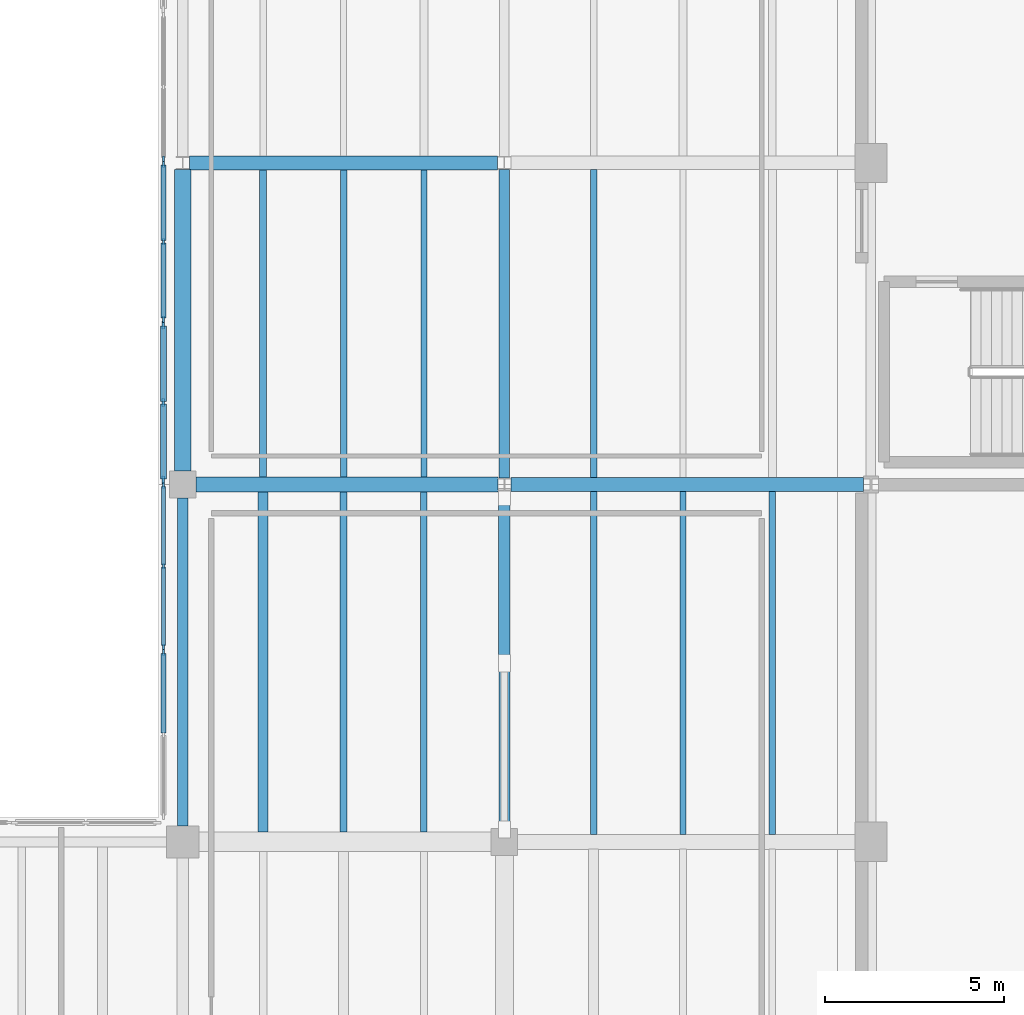
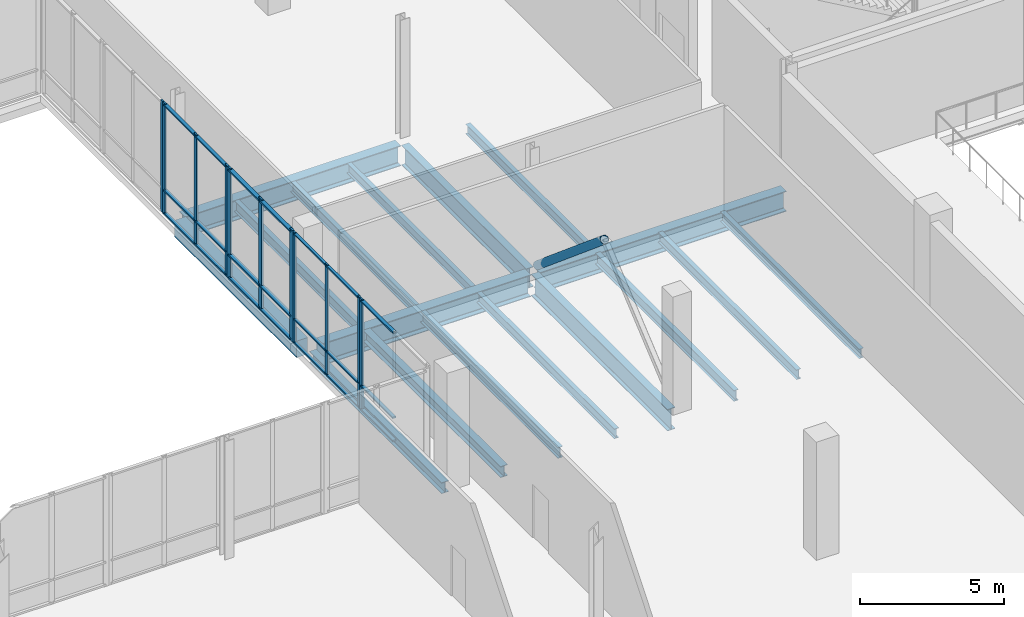
# One storey, part 26 of 60: 33 members, 17 beams, 5 elements without a shape of their own.
"""IFC4 building model written with IfcOpenShell, lengths in metres."""

from ifc_helpers import new_model, si_unit, direction, frame, origin, origin_2d, place, context, subcontext, project, spatial, rectangle, hollow_circle, i_section, extrude, material, material_profile, profile_set, type_object, element, aggregate, save


model = new_model("IFC4")

# Units and contexts
model_context = context("Model", 3, precision=1e-05, world=origin(), true_north=direction((0.0, 1.0)))
body_context = subcontext(model_context, "Body", "Model", "MODEL_VIEW")
ifc_project = project(units=[si_unit("LENGTHUNIT", "METRE"), si_unit("AREAUNIT", "SQUARE_METRE"), si_unit("VOLUMEUNIT", "CUBIC_METRE"), si_unit("PLANEANGLEUNIT", "RADIAN"), si_unit("MASSUNIT", "GRAM", prefix="KILO")], contexts=[model_context])

# Site, building, storey
site_placement = place(None, origin())
site = spatial("IfcSite", under=ifc_project, at=site_placement, CompositionType="ELEMENT")
building_placement = place(site_placement, origin())
building = spatial("IfcBuilding", under=site, at=building_placement, Name="Trimount Lyric Opera House", CompositionType="ELEMENT")
storey_placement = place(building_placement, frame((0.0, 0.0, 15.0)))
storey = spatial("IfcBuildingStorey", under=building, at=storey_placement, Name="L03", CompositionType="ELEMENT", Elevation=15.0)

# Beams
ifc_material_1 = material(Name="Steel ASTM A992 Grade 50", Category="steel")
ifc_material_profile_1 = material_profile(ifc_material_1, i_section(OverallWidth=0.4189453125, OverallDepth=0.927001953125, WebThickness=0.019287109375, FlangeThickness=0.031982421875, FilletRadius=0.02392578125, at=origin_2d()), Name="W36X231")
ifc_profile_set_1 = profile_set([ifc_material_profile_1], Name="Steel ASTM A992 Grade 50")
beam_type_1 = type_object("IfcBeamType", Name="B-02", PredefinedType="BEAM", material=ifc_profile_set_1)
beam_1_placement = place(storey_placement, frame((45.375, 84.0, -0.743408203125), z_axis=(1.0, 0.0, 0.0), x_axis=(0.0, 1.0, 0.0)))
element("IfcBeam", 1, at=beam_1_placement, inside=storey, type_object=beam_type_1, Name="L03 girder X-0989", PredefinedType="BEAM", context=body_context, shape_type="SweptSolid", body=[
    extrude(i_section(OverallWidth=0.4189453125, OverallDepth=0.927001953125, WebThickness=0.019287109375, FlangeThickness=0.031982421875, FilletRadius=0.02392578125, at=origin_2d()), origin(), (0.0, 0.0, 1.0), 8.44091796875),
])
ifc_material_2 = material(Name="Steel ASTM A992 Grade 50", Category="steel")
ifc_material_profile_2 = material_profile(ifc_material_2, i_section(OverallWidth=0.304931640625, OverallDepth=0.9189453125, WebThickness=0.017333984375, FlangeThickness=0.02783203125, FilletRadius=0.02001953125, at=origin_2d()), Name="W36X170")
ifc_profile_set_2 = profile_set([ifc_material_profile_2], Name="Steel ASTM A992 Grade 50")
beam_type_2 = type_object("IfcBeamType", Name="B-03", PredefinedType="BEAM", material=ifc_profile_set_2)
beam_2_placement = place(storey_placement, frame((54.0, 74.375, -0.739501953125), z_axis=(0.0, 1.0, 0.0), x_axis=(-1.0, 0.0, 0.0)))
element("IfcBeam", 2, at=beam_2_placement, inside=storey, type_object=beam_type_2, Name="L03 girder Y-1069", PredefinedType="BEAM", context=body_context, shape_type="SweptSolid", body=[
    extrude(i_section(OverallWidth=0.304931640625, OverallDepth=0.9189453125, WebThickness=0.017333984375, FlangeThickness=0.02783203125, FilletRadius=0.02001953125, at=origin_2d()), origin(), (0.0, 0.0, 1.0), 9.447021484375),
])
ifc_material_3 = material(Name="Steel ASTM A992 Grade 50", Category="steel")
ifc_material_profile_3 = material_profile(ifc_material_3, i_section(OverallWidth=0.40087890625, OverallDepth=0.861083984375, WebThickness=0.019775390625, FlangeThickness=0.032470703125, FilletRadius=0.02001953125, at=origin_2d()), Name="W33X221")
ifc_profile_set_3 = profile_set([ifc_material_profile_3], Name="Steel ASTM A992 Grade 50")
beam_type_3 = type_object("IfcBeamType", Name="B-04", PredefinedType="BEAM", material=ifc_profile_set_3)
beam_3_placement = place(storey_placement, frame((54.18408203125, 84.0, -0.755615234375), z_axis=(1.0, 0.0, 0.0), x_axis=(0.0, 1.0, 0.0)))
element("IfcBeam", 3, at=beam_3_placement, inside=storey, type_object=beam_type_3, Name="L03 girder X-0990", PredefinedType="BEAM", context=body_context, shape_type="SweptSolid", body=[
    extrude(i_section(OverallWidth=0.40087890625, OverallDepth=0.861083984375, WebThickness=0.019775390625, FlangeThickness=0.032470703125, FilletRadius=0.02001953125, at=origin_2d()), origin(), (0.0, 0.0, 1.0), 9.864990234375),
])
beam_4_placement = place(storey_placement, frame((45.18408203125, 93.0, -0.71044921875), z_axis=(1.0, 0.0, 0.0), x_axis=(0.0, 1.0, 0.0)))
element("IfcBeam", 4, at=beam_4_placement, inside=storey, type_object=beam_type_3, Name="L03 girder X-0994", PredefinedType="BEAM", context=body_context, shape_type="SweptSolid", body=[
    extrude(i_section(OverallWidth=0.40087890625, OverallDepth=0.861083984375, WebThickness=0.019775390625, FlangeThickness=0.032470703125, FilletRadius=0.02001953125, at=origin_2d()), origin(), (0.0, 0.0, 1.0), 8.62939453125),
])
ifc_material_4 = material(Name="Steel ASTM A992 Grade 50", Category="steel")
ifc_material_profile_4 = material_profile(ifc_material_4, i_section(OverallWidth=0.2919921875, OverallDepth=0.845947265625, WebThickness=0.015380859375, FlangeThickness=0.0244140625, FilletRadius=0.01806640625, at=origin_2d()), Name="W33X141")
ifc_profile_set_4 = profile_set([ifc_material_profile_4], Name="Steel ASTM A992 Grade 50")
beam_type_4 = type_object("IfcBeamType", Name="B-05", PredefinedType="BEAM", material=ifc_profile_set_4)
beam_5_placement = place(storey_placement, frame((54.0, 84.177978515625, -0.702880859375), z_axis=(0.0, 1.0, 0.0), x_axis=(-1.0, 0.0, 0.0)))
element("IfcBeam", 5, at=beam_5_placement, inside=storey, type_object=beam_type_4, Name="L03 girder Y-1070", PredefinedType="BEAM", context=body_context, shape_type="SweptSolid", body=[
    extrude(i_section(OverallWidth=0.2919921875, OverallDepth=0.845947265625, WebThickness=0.015380859375, FlangeThickness=0.0244140625, FilletRadius=0.01806640625, at=origin_2d()), origin(), (0.0, 0.0, 1.0), 8.637939453125),
])

# Member
ifc_material_5 = material(Name="Steel ASTM A500 Grade C", Category="steel")
ifc_material_profile_5 = material_profile(ifc_material_5, hollow_circle(Radius=0.161865234375, WallThickness=0.01171875, at=origin_2d()), Name="HSS323.9X12.7")
ifc_profile_set_5 = profile_set([ifc_material_profile_5], Name="Steel ASTM A500 Grade C")
member_type_1 = type_object("IfcMemberType", Name="BR-05", PredefinedType="BRACE", material=ifc_profile_set_5)
member_1_placement = place(storey_placement, frame((54.0, 83.64990234375, 0.14990234375), z_axis=(0.0, -0.766173014074, 0.642634353661), x_axis=(1.0, 0.0, 0.0)))
element("IfcMember", 6, at=member_1_placement, inside=storey, type_object=member_type_1, Name="L03 lateral chevron brace BF-2.2", PredefinedType="BRACE", context=body_context, shape_type="SweptSolid", body=[
    extrude(hollow_circle(Radius=0.161865234375, WallThickness=0.01171875, at=origin_2d()), origin(), (0.0, 0.0, 1.0), 6.069091796875),
])

# Beams
ifc_material_6 = material(Name="Steel ASTM A992 Grade 50", Category="steel")
ifc_material_profile_6 = material_profile(ifc_material_6, i_section(OverallWidth=0.281982421875, OverallDepth=0.467041015625, WebThickness=0.01220703125, FlangeThickness=0.01953125, FilletRadius=0.012939453125, at=origin_2d()), Name="W18X86")
ifc_profile_set_6 = profile_set([ifc_material_profile_6], Name="Steel ASTM A992 Grade 50")
beam_type_5 = type_object("IfcBeamType", Name="J-03", PredefinedType="BEAM", material=ifc_profile_set_6)
beam_6_placement = place(storey_placement, frame((47.25, 74.27099609375, -0.513427734375), z_axis=(0.0, 1.0, 0.0), x_axis=(-1.0, 0.0, 0.0)))
element("IfcBeam", 7, at=beam_6_placement, inside=storey, type_object=beam_type_5, Name="L03 composite floor joist 1044", PredefinedType="BEAM", context=body_context, shape_type="SweptSolid", body=[
    extrude(i_section(OverallWidth=0.281982421875, OverallDepth=0.467041015625, WebThickness=0.01220703125, FlangeThickness=0.01953125, FilletRadius=0.012939453125, at=origin_2d()), origin(), (0.0, 0.0, 1.0), 9.5234375),
])
ifc_material_7 = material(Name="Steel ASTM A992 Grade 50", Category="steel")
ifc_material_profile_7 = material_profile(ifc_material_7, i_section(OverallWidth=0.19091796875, OverallDepth=0.45703125, WebThickness=0.009033203125, FlangeThickness=0.014404296875, FilletRadius=0.010986328125, at=origin_2d()), Name="W18X50")
ifc_profile_set_7 = profile_set([ifc_material_profile_7], Name="Steel ASTM A992 Grade 50")
beam_type_6 = type_object("IfcBeamType", Name="J-04", PredefinedType="BEAM", material=ifc_profile_set_7)
beam_7_placement = place(storey_placement, frame((49.5, 74.27099609375, -0.508544921875), z_axis=(0.0, 1.0, 0.0), x_axis=(-1.0, 0.0, 0.0)))
element("IfcBeam", 8, at=beam_7_placement, inside=storey, type_object=beam_type_6, Name="L03 composite floor joist 1045", PredefinedType="BEAM", context=body_context, shape_type="SweptSolid", body=[
    extrude(i_section(OverallWidth=0.19091796875, OverallDepth=0.45703125, WebThickness=0.009033203125, FlangeThickness=0.014404296875, FilletRadius=0.010986328125, at=origin_2d()), origin(), (0.0, 0.0, 1.0), 9.5234375),
])
beam_8_placement = place(storey_placement, frame((47.25, 84.20556640625, -0.508544921875), z_axis=(0.0, 1.0, 0.0), x_axis=(-1.0, 0.0, 0.0)))
element("IfcBeam", 9, at=beam_8_placement, inside=storey, type_object=beam_type_6, Name="L03 composite floor joist 1047", PredefinedType="BEAM", context=body_context, shape_type="SweptSolid", body=[
    extrude(i_section(OverallWidth=0.19091796875, OverallDepth=0.45703125, WebThickness=0.009033203125, FlangeThickness=0.014404296875, FilletRadius=0.010986328125, at=origin_2d()), origin(), (0.0, 0.0, 1.0), 8.597900390625),
])
beam_9_placement = place(storey_placement, frame((56.5, 74.20556640625, -0.508544921875), z_axis=(0.0, 1.0, 0.0), x_axis=(-1.0, 0.0, 0.0)))
element("IfcBeam", 10, at=beam_9_placement, inside=storey, type_object=beam_type_6, Name="L03 composite floor joist 1065", PredefinedType="BEAM", context=body_context, shape_type="SweptSolid", body=[
    extrude(i_section(OverallWidth=0.19091796875, OverallDepth=0.45703125, WebThickness=0.009033203125, FlangeThickness=0.014404296875, FilletRadius=0.010986328125, at=origin_2d()), origin(), (0.0, 0.0, 1.0), 9.597900390625),
])
ifc_material_8 = material(Name="Steel ASTM A992 Grade 50", Category="steel")
ifc_material_profile_8 = material_profile(ifc_material_8, i_section(OverallWidth=0.180908203125, OverallDepth=0.4169921875, WebThickness=0.010986328125, FlangeThickness=0.018310546875, FilletRadius=0.010986328125, at=origin_2d()), Name="W16X57")
ifc_profile_set_8 = profile_set([ifc_material_profile_8], Name="Steel ASTM A992 Grade 50")
beam_type_7 = type_object("IfcBeamType", Name="J-05", PredefinedType="BEAM", material=ifc_profile_set_8)
beam_10_placement = place(storey_placement, frame((51.75, 74.27099609375, -0.488525390625), z_axis=(0.0, 1.0, 0.0), x_axis=(-1.0, 0.0, 0.0)))
element("IfcBeam", 11, at=beam_10_placement, inside=storey, type_object=beam_type_7, Name="L03 composite floor joist 1046", PredefinedType="BEAM", context=body_context, shape_type="SweptSolid", body=[
    extrude(i_section(OverallWidth=0.180908203125, OverallDepth=0.4169921875, WebThickness=0.010986328125, FlangeThickness=0.018310546875, FilletRadius=0.010986328125, at=origin_2d()), origin(), (0.0, 0.0, 1.0), 9.5234375),
])
beam_11_placement = place(storey_placement, frame((49.5, 84.20556640625, -0.488525390625), z_axis=(0.0, 1.0, 0.0), x_axis=(-1.0, 0.0, 0.0)))
element("IfcBeam", 12, at=beam_11_placement, inside=storey, type_object=beam_type_7, Name="L03 composite floor joist 1048", PredefinedType="BEAM", context=body_context, shape_type="SweptSolid", body=[
    extrude(i_section(OverallWidth=0.180908203125, OverallDepth=0.4169921875, WebThickness=0.010986328125, FlangeThickness=0.018310546875, FilletRadius=0.010986328125, at=origin_2d()), origin(), (0.0, 0.0, 1.0), 8.597900390625),
])
beam_12_placement = place(storey_placement, frame((59.0, 74.20556640625, -0.488525390625), z_axis=(0.0, 1.0, 0.0), x_axis=(-1.0, 0.0, 0.0)))
element("IfcBeam", 13, at=beam_12_placement, inside=storey, type_object=beam_type_7, Name="L03 composite floor joist 1066", PredefinedType="BEAM", context=body_context, shape_type="SweptSolid", body=[
    extrude(i_section(OverallWidth=0.180908203125, OverallDepth=0.4169921875, WebThickness=0.010986328125, FlangeThickness=0.018310546875, FilletRadius=0.010986328125, at=origin_2d()), origin(), (0.0, 0.0, 1.0), 9.597900390625),
])
beam_13_placement = place(storey_placement, frame((56.5, 84.196533203125, -0.488525390625), z_axis=(0.0, 1.0, 0.0), x_axis=(-1.0, 0.0, 0.0)))
element("IfcBeam", 14, at=beam_13_placement, inside=storey, type_object=beam_type_7, Name="L03 composite floor joist 1068", PredefinedType="BEAM", context=body_context, shape_type="SweptSolid", body=[
    extrude(i_section(OverallWidth=0.180908203125, OverallDepth=0.4169921875, WebThickness=0.010986328125, FlangeThickness=0.018310546875, FilletRadius=0.010986328125, at=origin_2d()), origin(), (0.0, 0.0, 1.0), 8.616455078125),
])
ifc_material_9 = material(Name="Steel ASTM A992 Grade 50", Category="steel")
ifc_material_profile_9 = material_profile(ifc_material_9, i_section(OverallWidth=0.177978515625, OverallDepth=0.404052734375, WebThickness=0.007568359375, FlangeThickness=0.010986328125, FilletRadius=0.010009765625, at=origin_2d()), Name="W16X36")
ifc_profile_set_9 = profile_set([ifc_material_profile_9], Name="Steel ASTM A992 Grade 50")
beam_type_8 = type_object("IfcBeamType", Name="J-06", PredefinedType="BEAM", material=ifc_profile_set_9)
beam_14_placement = place(storey_placement, frame((51.75, 84.20556640625, -0.48193359375), z_axis=(0.0, 1.0, 0.0), x_axis=(-1.0, 0.0, 0.0)))
element("IfcBeam", 15, at=beam_14_placement, inside=storey, type_object=beam_type_8, Name="L03 composite floor joist 1049", PredefinedType="BEAM", context=body_context, shape_type="SweptSolid", body=[
    extrude(i_section(OverallWidth=0.177978515625, OverallDepth=0.404052734375, WebThickness=0.007568359375, FlangeThickness=0.010986328125, FilletRadius=0.010009765625, at=origin_2d()), origin(), (0.0, 0.0, 1.0), 8.597900390625),
])
beam_15_placement = place(storey_placement, frame((61.5, 74.20556640625, -0.48193359375), z_axis=(0.0, 1.0, 0.0), x_axis=(-1.0, 0.0, 0.0)))
element("IfcBeam", 16, at=beam_15_placement, inside=storey, type_object=beam_type_8, Name="L03 composite floor joist 1067", PredefinedType="BEAM", context=body_context, shape_type="SweptSolid", body=[
    extrude(i_section(OverallWidth=0.177978515625, OverallDepth=0.404052734375, WebThickness=0.007568359375, FlangeThickness=0.010986328125, FilletRadius=0.010009765625, at=origin_2d()), origin(), (0.0, 0.0, 1.0), 9.597900390625),
])

# Curtain wall, members
ifc_material_10 = material(Name="Thermally Broken Aluminium and Low-E Glass", Category="aluminium")
curtain_wall_type = type_object("IfcCurtainWallType", Name="CW-03", PredefinedType="NOTDEFINED", material=ifc_material_10)
curtain_wall_1_placement = place(storey_placement, origin())
curtain_wall_1 = element("IfcCurtainWall", 17, at=curtain_wall_1_placement, inside=storey, type_object=curtain_wall_type, Name="L03 curtain wall 279", PredefinedType="NOTDEFINED")
ifc_material_11 = material(Name="Anodised Aluminium 6063-T6", Category="aluminium")
ifc_material_profile_10 = material_profile(ifc_material_11, rectangle(XDim=0.070068359375, YDim=0.219970703125, at=origin_2d()), Name="ALU-MULL-70X220")
ifc_profile_set_10 = profile_set([ifc_material_profile_10], Name="Anodised Aluminium 6063-T6")
member_type_2 = type_object("IfcMemberType", Name="ML-01", PredefinedType="MULLION", material=ifc_profile_set_10)
member_2_placement = place(storey_placement, frame((44.4599609375, 84.125, 0.0), z_axis=(0.0, 0.0, 1.0), x_axis=(-1.0, 0.0, 0.0)))
member_2 = element("IfcMember", 18, at=member_2_placement, type_object=member_type_2, Name="CW-03 mullion 1", PredefinedType="MULLION", context=body_context, shape_type="SweptSolid", body=[
    extrude(rectangle(XDim=0.070068359375, YDim=0.219970703125, at=origin_2d()), origin(), (0.0, 0.0, 1.0), 4.719970703125),
])
member_3_placement = place(storey_placement, frame((44.4599609375, 86.294921875, 0.0), z_axis=(0.0, 0.0, 1.0), x_axis=(-1.0, 0.0, 0.0)))
member_3 = element("IfcMember", 19, at=member_3_placement, type_object=member_type_2, Name="CW-03 mullion 2", PredefinedType="MULLION", context=body_context, shape_type="SweptSolid", body=[
    extrude(rectangle(XDim=0.070068359375, YDim=0.219970703125, at=origin_2d()), origin(), (0.0, 0.0, 1.0), 4.719970703125),
])
member_4_placement = place(storey_placement, frame((44.4599609375, 88.465087890625, 0.0), z_axis=(0.0, 0.0, 1.0), x_axis=(-1.0, 0.0, 0.0)))
member_4 = element("IfcMember", 20, at=member_4_placement, type_object=member_type_2, Name="CW-03 mullion 3", PredefinedType="MULLION", context=body_context, shape_type="SweptSolid", body=[
    extrude(rectangle(XDim=0.070068359375, YDim=0.219970703125, at=origin_2d()), origin(), (0.0, 0.0, 1.0), 4.719970703125),
])

# Curtain wall, member
curtain_wall_2_placement = place(storey_placement, origin())
curtain_wall_2 = element("IfcCurtainWall", 21, at=curtain_wall_2_placement, inside=storey, type_object=curtain_wall_type, Name="L03 curtain wall 277", PredefinedType="NOTDEFINED")
ifc_material_12 = material(Name="Anodised Aluminium 6063-T6", Category="aluminium")
ifc_material_profile_11 = material_profile(ifc_material_12, rectangle(XDim=0.06494140625, YDim=0.179931640625, at=origin_2d()), Name="ALU-MULL-65X180")
ifc_profile_set_11 = profile_set([ifc_material_profile_11], Name="Anodised Aluminium 6063-T6")
member_type_3 = type_object("IfcMemberType", Name="ML-02", PredefinedType="MULLION", material=ifc_profile_set_11)
member_5_placement = place(storey_placement, frame((44.4599609375, 79.3076171875, 0.0), z_axis=(0.0, 0.0, 1.0), x_axis=(-1.0, 0.0, 0.0)))
member_5 = element("IfcMember", 22, at=member_5_placement, type_object=member_type_3, Name="CW-03 mullion 3", PredefinedType="MULLION", context=body_context, shape_type="SweptSolid", body=[
    extrude(rectangle(XDim=0.06494140625, YDim=0.179931640625, at=origin_2d()), origin(), (0.0, 0.0, 1.0), 4.719970703125),
])

# Curtain wall, members
curtain_wall_3_placement = place(storey_placement, origin())
curtain_wall_3 = element("IfcCurtainWall", 23, at=curtain_wall_3_placement, inside=storey, type_object=curtain_wall_type, Name="L03 curtain wall 280", PredefinedType="NOTDEFINED")
member_6_placement = place(storey_placement, frame((44.4599609375, 88.62255859375, 0.0), z_axis=(0.0, 0.0, 1.0), x_axis=(-1.0, 0.0, 0.0)))
member_6 = element("IfcMember", 24, at=member_6_placement, type_object=member_type_3, Name="CW-03 mullion 1", PredefinedType="MULLION", context=body_context, shape_type="SweptSolid", body=[
    extrude(rectangle(XDim=0.06494140625, YDim=0.179931640625, at=origin_2d()), origin(), (0.0, 0.0, 1.0), 4.719970703125),
])
member_7_placement = place(storey_placement, frame((44.4599609375, 90.794921875, 0.0), z_axis=(0.0, 0.0, 1.0), x_axis=(-1.0, 0.0, 0.0)))
member_7 = element("IfcMember", 25, at=member_7_placement, type_object=member_type_3, Name="CW-03 mullion 2", PredefinedType="MULLION", context=body_context, shape_type="SweptSolid", body=[
    extrude(rectangle(XDim=0.06494140625, YDim=0.179931640625, at=origin_2d()), origin(), (0.0, 0.0, 1.0), 4.719970703125),
])
member_8_placement = place(storey_placement, frame((44.4599609375, 92.967529296875, 0.0), z_axis=(0.0, 0.0, 1.0), x_axis=(-1.0, 0.0, 0.0)))
member_8 = element("IfcMember", 26, at=member_8_placement, type_object=member_type_3, Name="CW-03 mullion 3", PredefinedType="MULLION", context=body_context, shape_type="SweptSolid", body=[
    extrude(rectangle(XDim=0.06494140625, YDim=0.179931640625, at=origin_2d()), origin(), (0.0, 0.0, 1.0), 4.719970703125),
])

curtain_wall_4_placement = place(storey_placement, origin())
curtain_wall_4 = element("IfcCurtainWall", 27, at=curtain_wall_4_placement, inside=storey, type_object=curtain_wall_type, Name="L03 curtain wall 278", PredefinedType="NOTDEFINED")
ifc_material_13 = material(Name="Anodised Aluminium 6063-T6", Category="aluminium")
ifc_material_profile_12 = material_profile(ifc_material_13, rectangle(XDim=0.06005859375, YDim=0.14990234375, at=origin_2d()), Name="ALU-MULL-60X150")
ifc_profile_set_12 = profile_set([ifc_material_profile_12], Name="Anodised Aluminium 6063-T6")
member_type_4 = type_object("IfcMemberType", Name="ML-03", PredefinedType="MULLION", material=ifc_profile_set_12)
member_9_placement = place(storey_placement, frame((44.4599609375, 79.4599609375, 0.0), z_axis=(0.0, 0.0, 1.0), x_axis=(-1.0, 0.0, 0.0)))
member_9 = element("IfcMember", 28, at=member_9_placement, type_object=member_type_4, Name="CW-03 mullion 1", PredefinedType="MULLION", context=body_context, shape_type="SweptSolid", body=[
    extrude(rectangle(XDim=0.06005859375, YDim=0.14990234375, at=origin_2d()), origin(), (0.0, 0.0, 1.0), 4.719970703125),
])
member_10_placement = place(storey_placement, frame((44.4599609375, 81.715087890625, 0.0), z_axis=(0.0, 0.0, 1.0), x_axis=(-1.0, 0.0, 0.0)))
member_10 = element("IfcMember", 29, at=member_10_placement, type_object=member_type_4, Name="CW-03 mullion 2", PredefinedType="MULLION", context=body_context, shape_type="SweptSolid", body=[
    extrude(rectangle(XDim=0.06005859375, YDim=0.14990234375, at=origin_2d()), origin(), (0.0, 0.0, 1.0), 4.719970703125),
])
member_11_placement = place(storey_placement, frame((44.4599609375, 83.969970703125, 0.0), z_axis=(0.0, 0.0, 1.0), x_axis=(-1.0, 0.0, 0.0)))
member_11 = element("IfcMember", 30, at=member_11_placement, type_object=member_type_4, Name="CW-03 mullion 3", PredefinedType="MULLION", context=body_context, shape_type="SweptSolid", body=[
    extrude(rectangle(XDim=0.06005859375, YDim=0.14990234375, at=origin_2d()), origin(), (0.0, 0.0, 1.0), 4.719970703125),
])

# Curtain wall, member
curtain_wall_5_placement = place(storey_placement, origin())
curtain_wall_5 = element("IfcCurtainWall", 31, at=curtain_wall_5_placement, inside=storey, type_object=curtain_wall_type, Name="L03 curtain wall 281", PredefinedType="NOTDEFINED")
member_12_placement = place(storey_placement, frame((44.4599609375, 93.1201171875, 0.0), z_axis=(0.0, 0.0, 1.0), x_axis=(-1.0, 0.0, 0.0)))
member_12 = element("IfcMember", 32, at=member_12_placement, type_object=member_type_4, Name="CW-03 mullion 1", PredefinedType="MULLION", context=body_context, shape_type="SweptSolid", body=[
    extrude(rectangle(XDim=0.06005859375, YDim=0.14990234375, at=origin_2d()), origin(), (0.0, 0.0, 1.0), 4.719970703125),
])
aggregate(curtain_wall_5, [member_12])

# Beams
ifc_material_14 = material(Name="Steel ASTM A992 Grade 50", Category="steel")
ifc_material_profile_13 = material_profile(ifc_material_14, i_section(OverallWidth=0.281982421875, OverallDepth=0.467041015625, WebThickness=0.01220703125, FlangeThickness=0.01953125, FilletRadius=0.012939453125, at=origin_2d()), Name="W18X86")
ifc_profile_set_13 = profile_set([ifc_material_profile_13], Name="Steel ASTM A992 Grade 50")
beam_type_9 = type_object("IfcBeamType", Name="SP-01", PredefinedType="SPANDREL", material=ifc_profile_set_13)
beam_16_placement = place(storey_placement, frame((45.0, 74.449951171875, -0.513427734375), z_axis=(0.0, 1.0, 0.0), x_axis=(-1.0, 0.0, 0.0)))
element("IfcBeam", 33, at=beam_16_placement, inside=storey, type_object=beam_type_9, Name="L03 girder Y-1059", PredefinedType="SPANDREL", context=body_context, shape_type="SweptSolid", body=[
    extrude(i_section(OverallWidth=0.281982421875, OverallDepth=0.467041015625, WebThickness=0.01220703125, FlangeThickness=0.01953125, FilletRadius=0.012939453125, at=origin_2d()), origin(), (0.0, 0.0, 1.0), 9.175048828125),
])
ifc_material_15 = material(Name="Concrete C40/50", Category="concrete")
ifc_material_profile_14 = material_profile(ifc_material_15, rectangle(XDim=0.449951171875, YDim=0.699951171875, at=origin_2d()), Name="RC450X700")
ifc_profile_set_14 = profile_set([ifc_material_profile_14], Name="Concrete C40/50")
beam_type_10 = type_object("IfcBeamType", Name="SP-02", PredefinedType="SPANDREL", material=ifc_profile_set_14)
beam_17_placement = place(storey_placement, frame((45.0, 84.375, -0.6298828125), z_axis=(0.0, 1.0, 0.0), x_axis=(-1.0, 0.0, 0.0)))
element("IfcBeam", 34, at=beam_17_placement, inside=storey, type_object=beam_type_10, Name="L03 girder Y-1060", PredefinedType="SPANDREL", context=body_context, shape_type="SweptSolid", body=[
    extrude(rectangle(XDim=0.449951171875, YDim=0.699951171875, at=origin_2d()), origin(), (0.0, 0.0, 1.0), 8.447021484375),
])

# Member
ifc_material_16 = material(Name="Anodised Aluminium 6063-T6", Category="aluminium")
ifc_material_profile_15 = material_profile(ifc_material_16, rectangle(XDim=0.159912109375, YDim=0.070068359375, at=origin_2d()), Name="ALU-TRAN-70X160")
ifc_profile_set_15 = profile_set([ifc_material_profile_15], Name="Anodised Aluminium 6063-T6")
member_type_5 = type_object("IfcMemberType", Name="TR-01", PredefinedType="USERDEFINED", material=ifc_profile_set_15)
member_13_placement = place(storey_placement, frame((44.4599609375, 84.159912109375, 0.080078125), z_axis=(0.0, 1.0, 0.0), x_axis=(-1.0, 0.0, 0.0)))
member_13 = element("IfcMember", 35, at=member_13_placement, type_object=member_type_5, Name="CW-03 transom 1.1", ObjectType="TRANSOM", PredefinedType="USERDEFINED", context=body_context, shape_type="SweptSolid", body=[
    extrude(rectangle(XDim=0.159912109375, YDim=0.070068359375, at=origin_2d()), origin(), (0.0, 0.0, 1.0), 2.10009765625),
])

member_14_placement = place(storey_placement, frame((44.4599609375, 84.159912109375, 1.050048828125), z_axis=(0.0, 1.0, 0.0), x_axis=(-1.0, 0.0, 0.0)))
member_14 = element("IfcMember", 36, at=member_14_placement, type_object=member_type_5, Name="CW-03 transom 1.2", ObjectType="TRANSOM", PredefinedType="USERDEFINED", context=body_context, shape_type="SweptSolid", body=[
    extrude(rectangle(XDim=0.159912109375, YDim=0.070068359375, at=origin_2d()), origin(), (0.0, 0.0, 1.0), 2.10009765625),
])

member_15_placement = place(storey_placement, frame((44.4599609375, 84.159912109375, 4.639892578125), z_axis=(0.0, 1.0, 0.0), x_axis=(-1.0, 0.0, 0.0)))
member_15 = element("IfcMember", 37, at=member_15_placement, type_object=member_type_5, Name="CW-03 transom 1.3", ObjectType="TRANSOM", PredefinedType="USERDEFINED", context=body_context, shape_type="SweptSolid", body=[
    extrude(rectangle(XDim=0.159912109375, YDim=0.070068359375, at=origin_2d()), origin(), (0.0, 0.0, 1.0), 2.10009765625),
])

member_16_placement = place(storey_placement, frame((44.4599609375, 86.330078125, 0.080078125), z_axis=(0.0, 1.0, 0.0), x_axis=(-1.0, 0.0, 0.0)))
member_16 = element("IfcMember", 38, at=member_16_placement, type_object=member_type_5, Name="CW-03 transom 2.1", ObjectType="TRANSOM", PredefinedType="USERDEFINED", context=body_context, shape_type="SweptSolid", body=[
    extrude(rectangle(XDim=0.159912109375, YDim=0.070068359375, at=origin_2d()), origin(), (0.0, 0.0, 1.0), 2.099853515625),
])

member_17_placement = place(storey_placement, frame((44.4599609375, 86.330078125, 1.050048828125), z_axis=(0.0, 1.0, 0.0), x_axis=(-1.0, 0.0, 0.0)))
member_17 = element("IfcMember", 39, at=member_17_placement, type_object=member_type_5, Name="CW-03 transom 2.2", ObjectType="TRANSOM", PredefinedType="USERDEFINED", context=body_context, shape_type="SweptSolid", body=[
    extrude(rectangle(XDim=0.159912109375, YDim=0.070068359375, at=origin_2d()), origin(), (0.0, 0.0, 1.0), 2.099853515625),
])

member_18_placement = place(storey_placement, frame((44.4599609375, 86.330078125, 4.639892578125), z_axis=(0.0, 1.0, 0.0), x_axis=(-1.0, 0.0, 0.0)))
member_18 = element("IfcMember", 40, at=member_18_placement, type_object=member_type_5, Name="CW-03 transom 2.3", ObjectType="TRANSOM", PredefinedType="USERDEFINED", context=body_context, shape_type="SweptSolid", body=[
    extrude(rectangle(XDim=0.159912109375, YDim=0.070068359375, at=origin_2d()), origin(), (0.0, 0.0, 1.0), 2.099853515625),
])

aggregate(curtain_wall_1, [member_2, member_3, member_4, member_13, member_14, member_15, member_16, member_17, member_18])

ifc_material_17 = material(Name="Anodised Aluminium 6063-T6", Category="aluminium")
ifc_material_profile_16 = material_profile(ifc_material_17, rectangle(XDim=0.135009765625, YDim=0.06494140625, at=origin_2d()), Name="ALU-TRAN-65X135")
ifc_profile_set_16 = profile_set([ifc_material_profile_16], Name="Anodised Aluminium 6063-T6")
member_type_6 = type_object("IfcMemberType", Name="TR-02", PredefinedType="USERDEFINED", material=ifc_profile_set_16)
member_19_placement = place(storey_placement, frame((44.4599609375, 77.04248046875, 0.0673828125), z_axis=(0.0, 1.0, 0.0), x_axis=(-1.0, 0.0, 0.0)))
member_19 = element("IfcMember", 41, at=member_19_placement, type_object=member_type_6, Name="CW-03 transom 2.1", ObjectType="TRANSOM", PredefinedType="USERDEFINED", context=body_context, shape_type="SweptSolid", body=[
    extrude(rectangle(XDim=0.135009765625, YDim=0.06494140625, at=origin_2d()), origin(), (0.0, 0.0, 1.0), 2.232421875),
])

member_20_placement = place(storey_placement, frame((44.4599609375, 77.04248046875, 1.050048828125), z_axis=(0.0, 1.0, 0.0), x_axis=(-1.0, 0.0, 0.0)))
member_20 = element("IfcMember", 42, at=member_20_placement, type_object=member_type_6, Name="CW-03 transom 2.2", ObjectType="TRANSOM", PredefinedType="USERDEFINED", context=body_context, shape_type="SweptSolid", body=[
    extrude(rectangle(XDim=0.135009765625, YDim=0.06494140625, at=origin_2d()), origin(), (0.0, 0.0, 1.0), 2.232421875),
])

member_21_placement = place(storey_placement, frame((44.4599609375, 77.04248046875, 4.652587890625), z_axis=(0.0, 1.0, 0.0), x_axis=(-1.0, 0.0, 0.0)))
member_21 = element("IfcMember", 43, at=member_21_placement, type_object=member_type_6, Name="CW-03 transom 2.3", ObjectType="TRANSOM", PredefinedType="USERDEFINED", context=body_context, shape_type="SweptSolid", body=[
    extrude(rectangle(XDim=0.135009765625, YDim=0.06494140625, at=origin_2d()), origin(), (0.0, 0.0, 1.0), 2.232421875),
])

aggregate(curtain_wall_2, [member_5, member_19, member_20, member_21])

member_22_placement = place(storey_placement, frame((44.4599609375, 88.655029296875, 0.0673828125), z_axis=(0.0, 1.0, 0.0), x_axis=(-1.0, 0.0, 0.0)))
member_22 = element("IfcMember", 44, at=member_22_placement, type_object=member_type_6, Name="CW-03 transom 1.1", ObjectType="TRANSOM", PredefinedType="USERDEFINED", context=body_context, shape_type="SweptSolid", body=[
    extrude(rectangle(XDim=0.135009765625, YDim=0.06494140625, at=origin_2d()), origin(), (0.0, 0.0, 1.0), 2.107421875),
])

member_23_placement = place(storey_placement, frame((44.4599609375, 88.655029296875, 1.050048828125), z_axis=(0.0, 1.0, 0.0), x_axis=(-1.0, 0.0, 0.0)))
member_23 = element("IfcMember", 45, at=member_23_placement, type_object=member_type_6, Name="CW-03 transom 1.2", ObjectType="TRANSOM", PredefinedType="USERDEFINED", context=body_context, shape_type="SweptSolid", body=[
    extrude(rectangle(XDim=0.135009765625, YDim=0.06494140625, at=origin_2d()), origin(), (0.0, 0.0, 1.0), 2.107421875),
])

member_24_placement = place(storey_placement, frame((44.4599609375, 88.655029296875, 4.652587890625), z_axis=(0.0, 1.0, 0.0), x_axis=(-1.0, 0.0, 0.0)))
member_24 = element("IfcMember", 46, at=member_24_placement, type_object=member_type_6, Name="CW-03 transom 1.3", ObjectType="TRANSOM", PredefinedType="USERDEFINED", context=body_context, shape_type="SweptSolid", body=[
    extrude(rectangle(XDim=0.135009765625, YDim=0.06494140625, at=origin_2d()), origin(), (0.0, 0.0, 1.0), 2.107421875),
])

member_25_placement = place(storey_placement, frame((44.4599609375, 90.827392578125, 0.0673828125), z_axis=(0.0, 1.0, 0.0), x_axis=(-1.0, 0.0, 0.0)))
member_25 = element("IfcMember", 47, at=member_25_placement, type_object=member_type_6, Name="CW-03 transom 2.1", ObjectType="TRANSOM", PredefinedType="USERDEFINED", context=body_context, shape_type="SweptSolid", body=[
    extrude(rectangle(XDim=0.135009765625, YDim=0.06494140625, at=origin_2d()), origin(), (0.0, 0.0, 1.0), 2.107666015625),
])

member_26_placement = place(storey_placement, frame((44.4599609375, 90.827392578125, 1.050048828125), z_axis=(0.0, 1.0, 0.0), x_axis=(-1.0, 0.0, 0.0)))
member_26 = element("IfcMember", 48, at=member_26_placement, type_object=member_type_6, Name="CW-03 transom 2.2", ObjectType="TRANSOM", PredefinedType="USERDEFINED", context=body_context, shape_type="SweptSolid", body=[
    extrude(rectangle(XDim=0.135009765625, YDim=0.06494140625, at=origin_2d()), origin(), (0.0, 0.0, 1.0), 2.107666015625),
])

member_27_placement = place(storey_placement, frame((44.4599609375, 90.827392578125, 4.652587890625), z_axis=(0.0, 1.0, 0.0), x_axis=(-1.0, 0.0, 0.0)))
member_27 = element("IfcMember", 49, at=member_27_placement, type_object=member_type_6, Name="CW-03 transom 2.3", ObjectType="TRANSOM", PredefinedType="USERDEFINED", context=body_context, shape_type="SweptSolid", body=[
    extrude(rectangle(XDim=0.135009765625, YDim=0.06494140625, at=origin_2d()), origin(), (0.0, 0.0, 1.0), 2.107666015625),
])

aggregate(curtain_wall_3, [member_6, member_7, member_8, member_22, member_23, member_24, member_25, member_26, member_27])

ifc_material_18 = material(Name="Anodised Aluminium 6063-T6", Category="aluminium")
ifc_material_profile_17 = material_profile(ifc_material_18, rectangle(XDim=0.114990234375, YDim=0.06005859375, at=origin_2d()), Name="ALU-TRAN-60X115")
ifc_profile_set_17 = profile_set([ifc_material_profile_17], Name="Anodised Aluminium 6063-T6")
member_type_7 = type_object("IfcMemberType", Name="TR-03", PredefinedType="USERDEFINED", material=ifc_profile_set_17)
member_28_placement = place(storey_placement, frame((44.4599609375, 79.489990234375, 0.0576171875), z_axis=(0.0, 1.0, 0.0), x_axis=(-1.0, 0.0, 0.0)))
member_28 = element("IfcMember", 50, at=member_28_placement, type_object=member_type_7, Name="CW-03 transom 1.1", ObjectType="TRANSOM", PredefinedType="USERDEFINED", context=body_context, shape_type="SweptSolid", body=[
    extrude(rectangle(XDim=0.114990234375, YDim=0.06005859375, at=origin_2d()), origin(), (0.0, 0.0, 1.0), 2.195068359375),
])

member_29_placement = place(storey_placement, frame((44.4599609375, 79.489990234375, 1.050048828125), z_axis=(0.0, 1.0, 0.0), x_axis=(-1.0, 0.0, 0.0)))
member_29 = element("IfcMember", 51, at=member_29_placement, type_object=member_type_7, Name="CW-03 transom 1.2", ObjectType="TRANSOM", PredefinedType="USERDEFINED", context=body_context, shape_type="SweptSolid", body=[
    extrude(rectangle(XDim=0.114990234375, YDim=0.06005859375, at=origin_2d()), origin(), (0.0, 0.0, 1.0), 2.195068359375),
])

member_30_placement = place(storey_placement, frame((44.4599609375, 79.489990234375, 4.66259765625), z_axis=(0.0, 1.0, 0.0), x_axis=(-1.0, 0.0, 0.0)))
member_30 = element("IfcMember", 52, at=member_30_placement, type_object=member_type_7, Name="CW-03 transom 1.3", ObjectType="TRANSOM", PredefinedType="USERDEFINED", context=body_context, shape_type="SweptSolid", body=[
    extrude(rectangle(XDim=0.114990234375, YDim=0.06005859375, at=origin_2d()), origin(), (0.0, 0.0, 1.0), 2.195068359375),
])

member_31_placement = place(storey_placement, frame((44.4599609375, 81.7451171875, 0.0576171875), z_axis=(0.0, 1.0, 0.0), x_axis=(-1.0, 0.0, 0.0)))
member_31 = element("IfcMember", 53, at=member_31_placement, type_object=member_type_7, Name="CW-03 transom 2.1", ObjectType="TRANSOM", PredefinedType="USERDEFINED", context=body_context, shape_type="SweptSolid", body=[
    extrude(rectangle(XDim=0.114990234375, YDim=0.06005859375, at=origin_2d()), origin(), (0.0, 0.0, 1.0), 2.19482421875),
])

member_32_placement = place(storey_placement, frame((44.4599609375, 81.7451171875, 1.050048828125), z_axis=(0.0, 1.0, 0.0), x_axis=(-1.0, 0.0, 0.0)))
member_32 = element("IfcMember", 54, at=member_32_placement, type_object=member_type_7, Name="CW-03 transom 2.2", ObjectType="TRANSOM", PredefinedType="USERDEFINED", context=body_context, shape_type="SweptSolid", body=[
    extrude(rectangle(XDim=0.114990234375, YDim=0.06005859375, at=origin_2d()), origin(), (0.0, 0.0, 1.0), 2.19482421875),
])

member_33_placement = place(storey_placement, frame((44.4599609375, 81.7451171875, 4.66259765625), z_axis=(0.0, 1.0, 0.0), x_axis=(-1.0, 0.0, 0.0)))
member_33 = element("IfcMember", 55, at=member_33_placement, type_object=member_type_7, Name="CW-03 transom 2.3", ObjectType="TRANSOM", PredefinedType="USERDEFINED", context=body_context, shape_type="SweptSolid", body=[
    extrude(rectangle(XDim=0.114990234375, YDim=0.06005859375, at=origin_2d()), origin(), (0.0, 0.0, 1.0), 2.19482421875),
])

aggregate(curtain_wall_4, [member_9, member_10, member_11, member_28, member_29, member_30, member_31, member_32, member_33])

save(model, "model.ifc")
